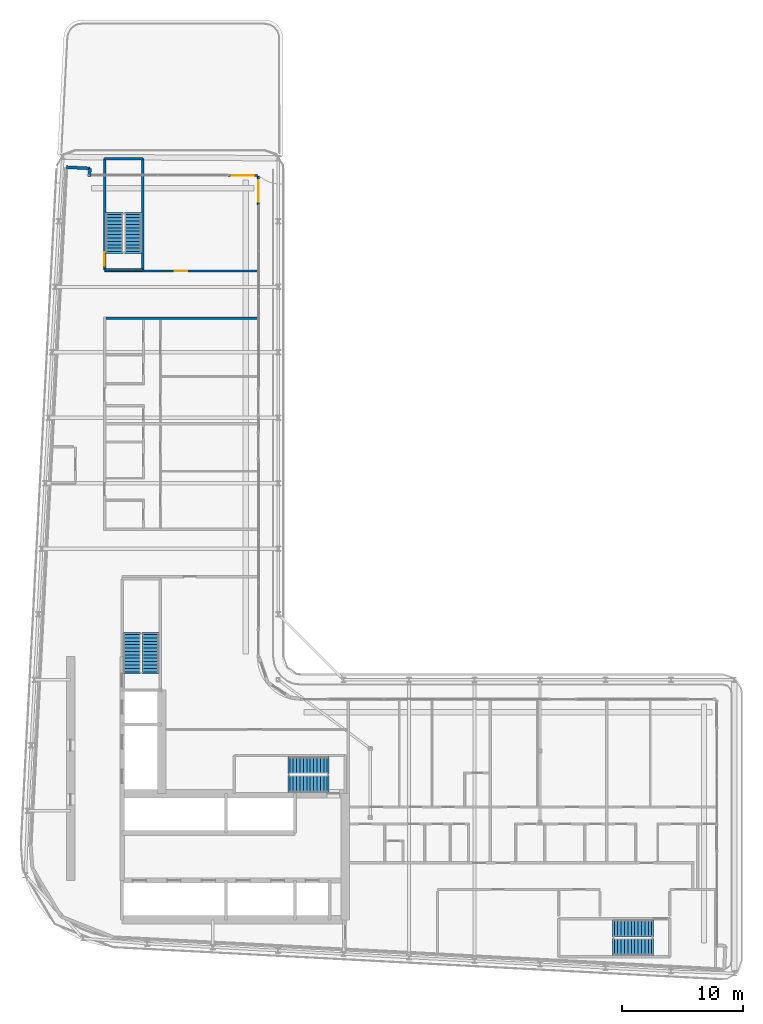
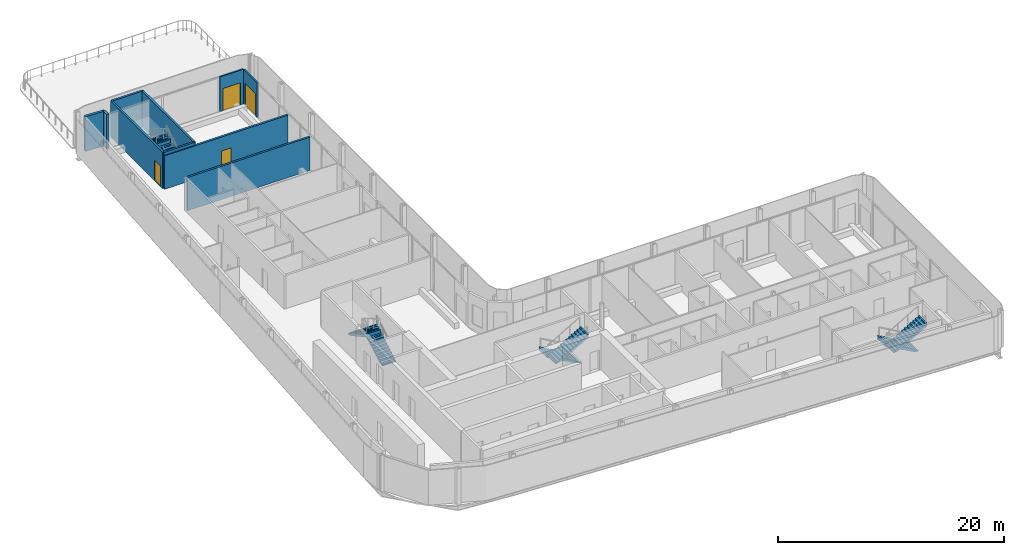
# One storey, part 14 of 22: 10 walls, 8 stair flights, 4 doors, 4 openings, 4 elements without a shape of their own.
"""IFC4 building model written with IfcOpenShell, lengths in metres."""

from ifc_helpers import new_model, si_unit, direction, frame, frame_2d, origin, place, context, subcontext, project, spatial, polyline, rectangle, outline, extrude, source, transform, mapped, material, layer, layer_set, type_object, element, fill, aggregate, save


model = new_model("IFC4")

# Units and contexts
model_context = context("Model", 3, precision=1e-05, world=origin(), true_north=direction((0.0, 1.0)))
body_context = subcontext(model_context, "Body", "Model", "MODEL_VIEW")
ifc_project = project(units=[si_unit("LENGTHUNIT", "METRE"), si_unit("AREAUNIT", "SQUARE_METRE"), si_unit("VOLUMEUNIT", "CUBIC_METRE"), si_unit("PLANEANGLEUNIT", "RADIAN"), si_unit("MASSUNIT", "GRAM", prefix="KILO")], contexts=[model_context])

# Site, building, storey
site_placement = place(None, origin())
site = spatial("IfcSite", under=ifc_project, at=site_placement, CompositionType="ELEMENT")
building_placement = place(site_placement, origin())
building = spatial("IfcBuilding", under=site, at=building_placement, Name="Kheshtan School and Residences Tower", CompositionType="ELEMENT")
storey_placement = place(building_placement, frame((0.0, 0.0, 216.199951171875)))
storey = spatial("IfcBuildingStorey", under=building, at=storey_placement, Name="L50", CompositionType="ELEMENT", Elevation=216.199951171875)

# Wall, opening, door
ifc_material_1 = material(Name="Gypsum board on steel studs with fire boards", Category="steel")
ifc_layer_1 = layer(ifc_material_1, 0.199951171875)
ifc_layer_set_1 = layer_set([ifc_layer_1], Name="Corridor wall 200")
wall_type_1 = type_object("IfcWallType", Name="Corridor wall 200", PredefinedType="PARTITIONING", material=ifc_layer_set_1)
wall_1_placement = place(storey_placement, frame((33.300048828125, 79.300048828125, 0.0), z_axis=(0.0, 0.0, 1.0), x_axis=(1.0, 0.0, 0.0)))
wall_1 = element("IfcWall", 1, at=wall_1_placement, inside=storey, type_object=wall_type_1, Name="Partition L50-002", PredefinedType="PARTITIONING", context=body_context, shape_type="SweptSolid", body=[
    extrude(rectangle(XDim=12.599853515625, YDim=0.199951171875, at=frame_2d((6.2998046875, 0.0))), origin(), (0.0, 0.0, 1.0), 3.60009765625),
])
opening_1_placement = place(wall_1_placement, frame((5.794921875, 0.0, 0.0)))
opening_1 = element("IfcOpeningElement", 2, at=opening_1_placement, cuts=wall_1, Name="Opening D50-038", PredefinedType="OPENING", context=body_context, shape_type="SweptSolid", body=[
    extrude(rectangle(XDim=1.0, YDim=2.10009765625, at=frame_2d((0.5, 1.050048828125))), frame((0.0, 0.10986328125, 0.0), z_axis=(0.0, -1.0, 0.0), x_axis=(1.0, 0.0, 0.0)), (0.0, 0.0, 1.0), 0.219970703125),
])
ifc_material_2 = material(Name="Steel-framed fire-resisting door leaf", Category="steel")
door_type_1 = type_object("IfcDoorType", Name="Fire door FD60 1000 x 2100", OperationType="SINGLE_SWING_LEFT", PredefinedType="DOOR", material=ifc_material_2)
shared_shape_1 = source(origin(), body_context, "Body", "SweptSolid", [
    extrude(rectangle(XDim=1.0, YDim=2.10009765625, at=frame_2d((0.5, 1.050048828125))), frame((0.0, 0.02490234375, 0.0), z_axis=(0.0, -1.0, 0.0), x_axis=(1.0, 0.0, 0.0)), (0.0, 0.0, 1.0), 0.050048828125),
])
door_1_placement = place(opening_1_placement, origin())
door_1 = element("IfcDoor", 3, at=door_1_placement, inside=storey, type_object=door_type_1, Name="Door D50-038", OperationType="SINGLE_SWING_RIGHT", OverallHeight=2.10009765625, OverallWidth=1.0, PredefinedType="DOOR", context=body_context, shape_type="MappedRepresentation", body=[
    mapped(shared_shape_1, transform((0.0, 0.0, 0.0), x_axis=(1.0, 0.0, 0.0), y_axis=(0.0, 1.0, 0.0), z_axis=(0.0, 0.0, 1.0), scale=1.0)),
])
fill(opening_1, door_1)

# Walls
wall_2_placement = place(storey_placement, frame((33.39990234375, 75.39990234375, 0.0), z_axis=(0.0, 0.0, 1.0), x_axis=(1.0, 0.0, 0.0)))
element("IfcWall", 4, at=wall_2_placement, inside=storey, type_object=wall_type_1, Name="Partition L50-011", PredefinedType="PARTITIONING", context=body_context, shape_type="SweptSolid", body=[
    extrude(rectangle(XDim=12.5, YDim=0.199951171875, at=frame_2d((6.25, 0.0))), origin(), (0.0, 0.0, 1.0), 3.60009765625),
])
ifc_material_3 = material(Name="Concrete C40/50 with ceramic cladding and mineral wool insulation", Category="concrete")
ifc_layer_2 = layer(ifc_material_3, 0.25)
ifc_layer_set_2 = layer_set([ifc_layer_2], Name="External wall 250 ceramic clad")
wall_type_2 = type_object("IfcWallType", Name="External wall 250 ceramic clad", PredefinedType="SOLIDWALL", material=ifc_layer_set_2)
wall_3_placement = place(storey_placement, frame((30.136962890625, 87.864013671875, 0.0), z_axis=(0.0, 0.0, 1.0), x_axis=(0.998577785791, -0.053314216913, 0.0)))
element("IfcWall", 5, at=wall_3_placement, inside=storey, type_object=wall_type_2, Name="External wall L50 1", PredefinedType="SOLIDWALL", context=body_context, shape_type="SweptSolid", body=[
    extrude(rectangle(XDim=1.95068359375, YDim=0.25, at=frame_2d((0.975341796875, 0.0))), origin(), (0.0, 0.0, 1.0), 3.75),
])
wall_4_placement = place(storey_placement, frame((32.0849609375, 87.760009765625, 0.0), z_axis=(0.0, 0.0, 1.0), x_axis=(-0.053729014033, -0.998555553312, 0.0)))
element("IfcWall", 6, at=wall_4_placement, inside=storey, type_object=wall_type_2, Name="External wall L50 2", PredefinedType="SOLIDWALL", context=body_context, shape_type="SweptSolid", body=[
    extrude(rectangle(XDim=0.66796875, YDim=0.25, at=frame_2d((0.333984375, 0.0))), origin(), (0.0, 0.0, 1.0), 3.75),
])

# Wall, opening, door
ifc_material_4 = material(Name="Aluminium frame wall with insulated infill", Category="aluminium")
ifc_layer_3 = layer(ifc_material_4, 0.14990234375)
ifc_layer_set_3 = layer_set([ifc_layer_3], Name="Glazing frame wall 150")
wall_type_3 = type_object("IfcWallType", Name="Glazing frame wall 150", PredefinedType="SOLIDWALL", material=ifc_layer_set_3)
wall_5_placement = place(storey_placement, frame((43.5, 87.175048828125, 0.0), z_axis=(0.0, 0.0, 1.0), x_axis=(1.0, 0.0, 0.0)))
wall_5 = element("IfcWall", 7, at=wall_5_placement, inside=storey, type_object=wall_type_3, Name="Balcony door wall L50 3.1", PredefinedType="SOLIDWALL", context=body_context, shape_type="SweptSolid", body=[
    extrude(rectangle(XDim=2.39990234375, YDim=0.14990234375, at=frame_2d((1.199951171875, 0.0))), origin(), (0.0, 0.0, 1.0), 3.75),
])
opening_2_placement = place(wall_5_placement, frame((0.300048828125, 0.0, 0.0)))
opening_2 = element("IfcOpeningElement", 8, at=opening_2_placement, cuts=wall_5, Name="Opening BD", PredefinedType="OPENING", context=body_context, shape_type="SweptSolid", body=[
    extrude(rectangle(XDim=1.800048828125, YDim=2.39990234375, at=frame_2d((0.89990234375, 1.199951171875))), frame((0.0, 0.0849609375, 0.0), z_axis=(0.0, -1.0, 0.0), x_axis=(1.0, 0.0, 0.0)), (0.0, 0.0, 1.0), 0.169921875),
])
ifc_material_5 = material(Name="Clear low-e glass in thermally broken aluminium frame", Category="aluminium")
door_type_2 = type_object("IfcDoorType", Name="Balcony sliding door", OperationType="SLIDING_TO_LEFT", PredefinedType="DOOR", material=ifc_material_5)
shared_shape_2 = source(origin(), body_context, "Body", "SweptSolid", [
    extrude(rectangle(XDim=1.800048828125, YDim=2.39990234375, at=frame_2d((0.89990234375, 1.199951171875))), frame((0.0, 0.02490234375, 0.0), z_axis=(0.0, -1.0, 0.0), x_axis=(1.0, 0.0, 0.0)), (0.0, 0.0, 1.0), 0.050048828125),
])
door_2_placement = place(opening_2_placement, origin())
door_2 = element("IfcDoor", 9, at=door_2_placement, inside=storey, type_object=door_type_2, Name="Balcony door L50 3.1", OperationType="SLIDING_TO_LEFT", OverallHeight=2.39990234375, OverallWidth=1.800048828125, PredefinedType="DOOR", context=body_context, shape_type="MappedRepresentation", body=[
    mapped(shared_shape_2, transform((0.0, 0.0, 0.0), x_axis=(1.0, 0.0, 0.0), y_axis=(0.0, 1.0, 0.0), z_axis=(0.0, 0.0, 1.0), scale=1.0)),
])
fill(opening_2, door_2)

wall_6_placement = place(storey_placement, frame((45.97509765625, 87.10009765625, 0.0), z_axis=(0.0, 0.0, 1.0), x_axis=(0.0, -1.0, 0.0)))
wall_6 = element("IfcWall", 10, at=wall_6_placement, inside=storey, type_object=wall_type_3, Name="Balcony door wall L50 4.1", PredefinedType="SOLIDWALL", context=body_context, shape_type="SweptSolid", body=[
    extrude(rectangle(XDim=2.400146484375, YDim=0.14990234375, at=frame_2d((1.2001953125, 0.0))), origin(), (0.0, 0.0, 1.0), 3.75),
])
opening_3_placement = place(wall_6_placement, frame((0.300048828125, 0.0, 0.0)))
opening_3 = element("IfcOpeningElement", 11, at=opening_3_placement, cuts=wall_6, Name="Opening BD", PredefinedType="OPENING", context=body_context, shape_type="SweptSolid", body=[
    extrude(rectangle(XDim=1.800048828125, YDim=2.39990234375, at=frame_2d((0.89990234375, 1.199951171875))), frame((0.0, 0.0849609375, 0.0), z_axis=(0.0, -1.0, 0.0), x_axis=(1.0, 0.0, 0.0)), (0.0, 0.0, 1.0), 0.169921875),
])
door_3_placement = place(opening_3_placement, origin())
door_3 = element("IfcDoor", 12, at=door_3_placement, inside=storey, type_object=door_type_2, Name="Balcony door L50 4.1", OperationType="SLIDING_TO_LEFT", OverallHeight=2.39990234375, OverallWidth=1.800048828125, PredefinedType="DOOR", context=body_context, shape_type="MappedRepresentation", body=[
    mapped(shared_shape_2, transform((0.0, 0.0, 0.0), x_axis=(1.0, 0.0, 0.0), y_axis=(0.0, 1.0, 0.0), z_axis=(0.0, 0.0, 1.0), scale=1.0)),
])
fill(opening_3, door_3)

# Walls
ifc_material_6 = material(Name="Concrete C40/50", Category="concrete")
ifc_layer_4 = layer(ifc_material_6, 0.199951171875)
ifc_layer_set_4 = layer_set([ifc_layer_4], Name="Stair enclosure wall 200 Concrete C40/50")
wall_type_4 = type_object("IfcWallType", Name="Stair enclosure wall 200 Concrete C40/50", PredefinedType="SHEAR", material=ifc_layer_set_4)
for number, where, z_axis, x_axis, name in (
    (13, (33.300048828125, 79.39990234375, 0.0), (0.0, 0.0, 1.0), (1.0, 0.0, 0.0), "Stair enclosure wall ST3"),
    (14, (33.300048828125, 88.56005859375, 0.0), (0.0, 0.0, 1.0), (1.0, 0.0, 0.0), "Stair enclosure wall ST3"),
):
    element("IfcWall", number, at=place(storey_placement, frame(where, z_axis=z_axis, x_axis=x_axis)), inside=storey, type_object=wall_type_4, Name=name, PredefinedType="SHEAR", context=body_context, shape_type="SweptSolid", body=[
        extrude(rectangle(XDim=3.14990234375, YDim=0.199951171875, at=frame_2d((1.574951171875, 0.0))), origin(), (0.0, 0.0, 1.0), 3.900146484375),
    ])

# Wall, opening, door
wall_7_placement = place(storey_placement, frame((33.300048828125, 79.39990234375, 0.0), z_axis=(0.0, 0.0, 1.0), x_axis=(0.0, 1.0, 0.0)))
wall_7 = element("IfcWall", 15, at=wall_7_placement, inside=storey, type_object=wall_type_4, Name="Stair enclosure wall ST3", PredefinedType="SHEAR", context=body_context, shape_type="SweptSolid", body=[
    extrude(rectangle(XDim=9.16015625, YDim=0.199951171875, at=frame_2d((4.580078125, 0.0))), origin(), (0.0, 0.0, 1.0), 3.900146484375),
])
opening_4_placement = place(wall_7_placement, frame((0.35009765625, 0.0, 0.0)))
opening_4 = element("IfcOpeningElement", 16, at=opening_4_placement, cuts=wall_7, Name="Opening ST3D", PredefinedType="OPENING", context=body_context, shape_type="SweptSolid", body=[
    extrude(rectangle(XDim=1.10009765625, YDim=2.199951171875, at=frame_2d((0.550048828125, 1.10009765625))), frame((0.0, 0.10986328125, 0.0), z_axis=(0.0, -1.0, 0.0), x_axis=(1.0, 0.0, 0.0)), (0.0, 0.0, 1.0), 0.219970703125),
])
ifc_material_7 = material(Name="Steel door leaf, galvanised", Category="steel")
door_type_3 = type_object("IfcDoorType", Name="Stair door 1100 steel 90 min", OperationType="SINGLE_SWING_LEFT", PredefinedType="DOOR", material=ifc_material_7)
shared_shape_3 = source(origin(), body_context, "Body", "SweptSolid", [
    extrude(rectangle(XDim=1.10009765625, YDim=2.199951171875, at=frame_2d((0.550048828125, 1.10009765625))), frame((0.0, 0.02490234375, 0.0), z_axis=(0.0, -1.0, 0.0), x_axis=(1.0, 0.0, 0.0)), (0.0, 0.0, 1.0), 0.050048828125),
])
door_4_placement = place(opening_4_placement, origin())
door_4 = element("IfcDoor", 17, at=door_4_placement, inside=storey, type_object=door_type_3, Name="Stair ST3 door", OperationType="SINGLE_SWING_RIGHT", OverallHeight=2.199951171875, OverallWidth=1.10009765625, PredefinedType="DOOR", context=body_context, shape_type="MappedRepresentation", body=[
    mapped(shared_shape_3, transform((0.0, 0.0, 0.0), x_axis=(1.0, 0.0, 0.0), y_axis=(0.0, 1.0, 0.0), z_axis=(0.0, 0.0, 1.0), scale=1.0)),
])
fill(opening_4, door_4)

# Wall
wall_8_placement = place(storey_placement, frame((36.449951171875, 79.39990234375, 0.0), z_axis=(0.0, 0.0, 1.0), x_axis=(0.0, 1.0, 0.0)))
element("IfcWall", 18, at=wall_8_placement, inside=storey, type_object=wall_type_4, Name="Stair enclosure wall ST3", PredefinedType="SHEAR", context=body_context, shape_type="SweptSolid", body=[
    extrude(rectangle(XDim=9.16015625, YDim=0.199951171875, at=frame_2d((4.580078125, 0.0))), origin(), (0.0, 0.0, 1.0), 3.900146484375),
])

# Stair, stair flights
stair_type = type_object("IfcStairType", Name="Exit stair, half-turn", PredefinedType="HALF_TURN_STAIR", material=ifc_material_6)
stair_1_placement = place(storey_placement, origin())
stair_1 = element("IfcStair", 19, at=stair_1_placement, inside=storey, type_object=stair_type, Name="L50 Protected Exit Stair ST1", PredefinedType="HALF_TURN_STAIR")
ifc_layer_5 = layer(ifc_material_6, 0.14990234375)
ifc_layer_set_5 = layer_set([ifc_layer_5], Name="Stair flight 1400 Concrete C40/50")
stair_flight_type = type_object("IfcStairFlightType", Name="Stair flight 1400 Concrete C40/50", PredefinedType="STRAIGHT", material=ifc_layer_set_5)
stair_flight_1_placement = place(storey_placement, frame((51.64990234375, 38.550048828125, 0.0), z_axis=(0.0, 0.0, 1.0), x_axis=(-1.0, 0.0, 0.0)))
stair_flight_1 = element("IfcStairFlight", 20, at=stair_flight_1_placement, type_object=stair_flight_type, Name="ST1 flight 1", NumberOfRisers=12, NumberOfTreads=11, PredefinedType="STRAIGHT", RiserHeight=0.1625, TreadLength=0.28, context=body_context, shape_type="SweptSolid", body=[
    extrude(outline(polyline([(-0.14990234375, -0.10009765625), (-0.14990234375, 0.0), (0.0, 0.0), (0.0, 0.16259765625), (0.280029296875, 0.16259765625), (0.280029296875, 0.324951171875), (0.56005859375, 0.324951171875), (0.56005859375, 0.487548828125), (0.840087890625, 0.487548828125), (0.840087890625, 0.64990234375), (1.1201171875, 0.64990234375), (1.1201171875, 0.8125), (1.39990234375, 0.8125), (1.39990234375, 0.97509765625), (1.679931640625, 0.97509765625), (1.679931640625, 1.137451171875), (1.9599609375, 1.137451171875), (1.9599609375, 1.300048828125), (2.239990234375, 1.300048828125), (2.239990234375, 1.46240234375), (2.52001953125, 1.46240234375), (2.52001953125, 1.625), (2.800048828125, 1.625), (2.800048828125, 1.78759765625), (3.080078125, 1.78759765625), (3.080078125, 1.949951171875), (3.080078125, 1.969970703125), (3.22998046875, 1.969970703125), (3.22998046875, 1.6142578125), (0.298583984375, 0.0), (-0.14990234375, -0.10009765625)])), frame((0.0, 0.699951171875, 0.0), z_axis=(0.0, -1.0, 0.0), x_axis=(1.0, 0.0, 0.0)), (0.0, 0.0, 1.0), 1.39990234375),
])
stair_flight_2_placement = place(storey_placement, frame((48.570068359375, 37.0, 1.949951171875), z_axis=(0.0, 0.0, 1.0), x_axis=(1.0, 0.0, 0.0)))
stair_flight_2 = element("IfcStairFlight", 21, at=stair_flight_2_placement, type_object=stair_flight_type, Name="ST1 flight 2", NumberOfRisers=12, NumberOfTreads=11, PredefinedType="STRAIGHT", RiserHeight=0.1625, TreadLength=0.28, context=body_context, shape_type="SweptSolid", body=[
    extrude(outline(polyline([(-0.14990234375, -0.10009765625), (-0.14990234375, 0.0), (0.0, 0.0), (0.0, 0.16259765625), (0.280029296875, 0.16259765625), (0.280029296875, 0.324951171875), (0.56005859375, 0.324951171875), (0.56005859375, 0.487548828125), (0.840087890625, 0.487548828125), (0.840087890625, 0.64990234375), (1.1201171875, 0.64990234375), (1.1201171875, 0.8125), (1.39990234375, 0.8125), (1.39990234375, 0.97509765625), (1.679931640625, 0.97509765625), (1.679931640625, 1.137451171875), (1.9599609375, 1.137451171875), (1.9599609375, 1.300048828125), (2.239990234375, 1.300048828125), (2.239990234375, 1.46240234375), (2.52001953125, 1.46240234375), (2.52001953125, 1.625), (2.800048828125, 1.625), (2.800048828125, 1.78759765625), (3.080078125, 1.78759765625), (3.080078125, 1.949951171875), (3.080078125, 1.969970703125), (3.22998046875, 1.969970703125), (3.22998046875, 1.6142578125), (0.298583984375, 0.0), (-0.14990234375, -0.10009765625)])), frame((0.0, 0.699951171875, 0.0), z_axis=(0.0, -1.0, 0.0), x_axis=(1.0, 0.0, 0.0)), (0.0, 0.0, 1.0), 1.39990234375),
])
aggregate(stair_1, [stair_flight_1, stair_flight_2])

stair_2_placement = place(storey_placement, origin())
stair_2 = element("IfcStair", 22, at=stair_2_placement, inside=storey, type_object=stair_type, Name="L50 Protected Exit Stair ST2", PredefinedType="HALF_TURN_STAIR")
stair_flight_3_placement = place(storey_placement, frame((37.10009765625, 46.25, 0.0), z_axis=(0.0, 0.0, 1.0), x_axis=(0.0, 1.0, 0.0)))
stair_flight_3 = element("IfcStairFlight", 23, at=stair_flight_3_placement, type_object=stair_flight_type, Name="ST2 flight 1", NumberOfRisers=12, NumberOfTreads=11, PredefinedType="STRAIGHT", RiserHeight=0.1625, TreadLength=0.28, context=body_context, shape_type="SweptSolid", body=[
    extrude(outline(polyline([(-0.14990234375, -0.10009765625), (-0.14990234375, 0.0), (0.0, 0.0), (0.0, 0.16259765625), (0.280029296875, 0.16259765625), (0.280029296875, 0.324951171875), (0.56005859375, 0.324951171875), (0.56005859375, 0.487548828125), (0.840087890625, 0.487548828125), (0.840087890625, 0.64990234375), (1.1201171875, 0.64990234375), (1.1201171875, 0.8125), (1.39990234375, 0.8125), (1.39990234375, 0.97509765625), (1.679931640625, 0.97509765625), (1.679931640625, 1.137451171875), (1.9599609375, 1.137451171875), (1.9599609375, 1.300048828125), (2.239990234375, 1.300048828125), (2.239990234375, 1.46240234375), (2.52001953125, 1.46240234375), (2.52001953125, 1.625), (2.800048828125, 1.625), (2.800048828125, 1.78759765625), (3.080078125, 1.78759765625), (3.080078125, 1.949951171875), (3.080078125, 1.969970703125), (3.22998046875, 1.969970703125), (3.22998046875, 1.6142578125), (0.298583984375, 0.0), (-0.14990234375, -0.10009765625)])), frame((0.0, 0.699951171875, 0.0), z_axis=(0.0, -1.0, 0.0), x_axis=(1.0, 0.0, 0.0)), (0.0, 0.0, 1.0), 1.39990234375),
])
stair_flight_4_placement = place(storey_placement, frame((35.550048828125, 49.330078125, 1.949951171875), z_axis=(0.0, 0.0, 1.0), x_axis=(0.0, -1.0, 0.0)))
stair_flight_4 = element("IfcStairFlight", 24, at=stair_flight_4_placement, type_object=stair_flight_type, Name="ST2 flight 2", NumberOfRisers=12, NumberOfTreads=11, PredefinedType="STRAIGHT", RiserHeight=0.1625, TreadLength=0.28, context=body_context, shape_type="SweptSolid", body=[
    extrude(outline(polyline([(-0.14990234375, -0.10009765625), (-0.14990234375, 0.0), (0.0, 0.0), (0.0, 0.16259765625), (0.280029296875, 0.16259765625), (0.280029296875, 0.324951171875), (0.56005859375, 0.324951171875), (0.56005859375, 0.487548828125), (0.840087890625, 0.487548828125), (0.840087890625, 0.64990234375), (1.1201171875, 0.64990234375), (1.1201171875, 0.8125), (1.39990234375, 0.8125), (1.39990234375, 0.97509765625), (1.679931640625, 0.97509765625), (1.679931640625, 1.137451171875), (1.9599609375, 1.137451171875), (1.9599609375, 1.300048828125), (2.239990234375, 1.300048828125), (2.239990234375, 1.46240234375), (2.52001953125, 1.46240234375), (2.52001953125, 1.625), (2.800048828125, 1.625), (2.800048828125, 1.78759765625), (3.080078125, 1.78759765625), (3.080078125, 1.949951171875), (3.080078125, 1.969970703125), (3.22998046875, 1.969970703125), (3.22998046875, 1.6142578125), (0.298583984375, 0.0), (-0.14990234375, -0.10009765625)])), frame((0.0, 0.699951171875, 0.0), z_axis=(0.0, -1.0, 0.0), x_axis=(1.0, 0.0, 0.0)), (0.0, 0.0, 1.0), 1.39990234375),
])
aggregate(stair_2, [stair_flight_3, stair_flight_4])

stair_3_placement = place(storey_placement, origin())
stair_3 = element("IfcStair", 25, at=stair_3_placement, inside=storey, type_object=stair_type, Name="L50 Protected Exit Stair ST3", PredefinedType="HALF_TURN_STAIR")
stair_flight_5_placement = place(storey_placement, frame((35.64990234375, 80.89990234375, 0.0), z_axis=(0.0, 0.0, 1.0), x_axis=(0.0, 1.0, 0.0)))
stair_flight_5 = element("IfcStairFlight", 26, at=stair_flight_5_placement, type_object=stair_flight_type, Name="ST3 flight 1", NumberOfRisers=12, NumberOfTreads=11, PredefinedType="STRAIGHT", RiserHeight=0.1625, TreadLength=0.28, context=body_context, shape_type="SweptSolid", body=[
    extrude(outline(polyline([(-0.14990234375, -0.10009765625), (-0.14990234375, 0.0), (0.0, 0.0), (0.0, 0.16259765625), (0.280029296875, 0.16259765625), (0.280029296875, 0.324951171875), (0.56005859375, 0.324951171875), (0.56005859375, 0.487548828125), (0.840087890625, 0.487548828125), (0.840087890625, 0.64990234375), (1.1201171875, 0.64990234375), (1.1201171875, 0.8125), (1.39990234375, 0.8125), (1.39990234375, 0.97509765625), (1.679931640625, 0.97509765625), (1.679931640625, 1.137451171875), (1.9599609375, 1.137451171875), (1.9599609375, 1.300048828125), (2.239990234375, 1.300048828125), (2.239990234375, 1.46240234375), (2.52001953125, 1.46240234375), (2.52001953125, 1.625), (2.800048828125, 1.625), (2.800048828125, 1.78759765625), (3.080078125, 1.78759765625), (3.080078125, 1.949951171875), (3.080078125, 1.969970703125), (3.22998046875, 1.969970703125), (3.22998046875, 1.6142578125), (0.298583984375, 0.0), (-0.14990234375, -0.10009765625)])), frame((0.0, 0.699951171875, 0.0), z_axis=(0.0, -1.0, 0.0), x_axis=(1.0, 0.0, 0.0)), (0.0, 0.0, 1.0), 1.39990234375),
])
stair_flight_6_placement = place(storey_placement, frame((34.10009765625, 83.97998046875, 1.949951171875), z_axis=(0.0, 0.0, 1.0), x_axis=(0.0, -1.0, 0.0)))
stair_flight_6 = element("IfcStairFlight", 27, at=stair_flight_6_placement, type_object=stair_flight_type, Name="ST3 flight 2", NumberOfRisers=12, NumberOfTreads=11, PredefinedType="STRAIGHT", RiserHeight=0.1625, TreadLength=0.28, context=body_context, shape_type="SweptSolid", body=[
    extrude(outline(polyline([(-0.14990234375, -0.10009765625), (-0.14990234375, 0.0), (0.0, 0.0), (0.0, 0.16259765625), (0.280029296875, 0.16259765625), (0.280029296875, 0.324951171875), (0.56005859375, 0.324951171875), (0.56005859375, 0.487548828125), (0.840087890625, 0.487548828125), (0.840087890625, 0.64990234375), (1.1201171875, 0.64990234375), (1.1201171875, 0.8125), (1.39990234375, 0.8125), (1.39990234375, 0.97509765625), (1.679931640625, 0.97509765625), (1.679931640625, 1.137451171875), (1.9599609375, 1.137451171875), (1.9599609375, 1.300048828125), (2.239990234375, 1.300048828125), (2.239990234375, 1.46240234375), (2.52001953125, 1.46240234375), (2.52001953125, 1.625), (2.800048828125, 1.625), (2.800048828125, 1.78759765625), (3.080078125, 1.78759765625), (3.080078125, 1.949951171875), (3.080078125, 1.969970703125), (3.22998046875, 1.969970703125), (3.22998046875, 1.6142578125), (0.298583984375, 0.0), (-0.14990234375, -0.10009765625)])), frame((0.0, 0.699951171875, 0.0), z_axis=(0.0, -1.0, 0.0), x_axis=(1.0, 0.0, 0.0)), (0.0, 0.0, 1.0), 1.39990234375),
])
aggregate(stair_3, [stair_flight_5, stair_flight_6])

stair_4_placement = place(storey_placement, origin())
stair_4 = element("IfcStair", 28, at=stair_4_placement, inside=storey, type_object=stair_type, Name="L50 Protected Exit Stair ST5", PredefinedType="HALF_TURN_STAIR")
stair_flight_7_placement = place(storey_placement, frame((78.409912109375, 25.10009765625, 0.0), z_axis=(0.0, 0.0, 1.0), x_axis=(-1.0, 0.0, 0.0)))
stair_flight_7 = element("IfcStairFlight", 29, at=stair_flight_7_placement, type_object=stair_flight_type, Name="ST5 flight 1", NumberOfRisers=12, NumberOfTreads=11, PredefinedType="STRAIGHT", RiserHeight=0.1625, TreadLength=0.28, context=body_context, shape_type="SweptSolid", body=[
    extrude(outline(polyline([(-0.14990234375, -0.10009765625), (-0.14990234375, 0.0), (0.0, 0.0), (0.0, 0.16259765625), (0.280029296875, 0.16259765625), (0.280029296875, 0.324951171875), (0.56005859375, 0.324951171875), (0.56005859375, 0.487548828125), (0.840087890625, 0.487548828125), (0.840087890625, 0.64990234375), (1.1201171875, 0.64990234375), (1.1201171875, 0.8125), (1.39990234375, 0.8125), (1.39990234375, 0.97509765625), (1.679931640625, 0.97509765625), (1.679931640625, 1.137451171875), (1.9599609375, 1.137451171875), (1.9599609375, 1.300048828125), (2.239990234375, 1.300048828125), (2.239990234375, 1.46240234375), (2.52001953125, 1.46240234375), (2.52001953125, 1.625), (2.800048828125, 1.625), (2.800048828125, 1.78759765625), (3.080078125, 1.78759765625), (3.080078125, 1.949951171875), (3.080078125, 1.969970703125), (3.22998046875, 1.969970703125), (3.22998046875, 1.6142578125), (0.298583984375, 0.0), (-0.14990234375, -0.10009765625)])), frame((0.0, 0.699951171875, 0.0), z_axis=(0.0, -1.0, 0.0), x_axis=(1.0, 0.0, 0.0)), (0.0, 0.0, 1.0), 1.39990234375),
])
stair_flight_8_placement = place(storey_placement, frame((75.330078125, 23.550048828125, 1.949951171875), z_axis=(0.0, 0.0, 1.0), x_axis=(1.0, 0.0, 0.0)))
stair_flight_8 = element("IfcStairFlight", 30, at=stair_flight_8_placement, type_object=stair_flight_type, Name="ST5 flight 2", NumberOfRisers=12, NumberOfTreads=11, PredefinedType="STRAIGHT", RiserHeight=0.1625, TreadLength=0.28, context=body_context, shape_type="SweptSolid", body=[
    extrude(outline(polyline([(-0.14990234375, -0.10009765625), (-0.14990234375, 0.0), (0.0, 0.0), (0.0, 0.16259765625), (0.280029296875, 0.16259765625), (0.280029296875, 0.324951171875), (0.56005859375, 0.324951171875), (0.56005859375, 0.487548828125), (0.840087890625, 0.487548828125), (0.840087890625, 0.64990234375), (1.1201171875, 0.64990234375), (1.1201171875, 0.8125), (1.39990234375, 0.8125), (1.39990234375, 0.97509765625), (1.679931640625, 0.97509765625), (1.679931640625, 1.137451171875), (1.9599609375, 1.137451171875), (1.9599609375, 1.300048828125), (2.239990234375, 1.300048828125), (2.239990234375, 1.46240234375), (2.52001953125, 1.46240234375), (2.52001953125, 1.625), (2.800048828125, 1.625), (2.800048828125, 1.78759765625), (3.080078125, 1.78759765625), (3.080078125, 1.949951171875), (3.080078125, 1.969970703125), (3.22998046875, 1.969970703125), (3.22998046875, 1.6142578125), (0.298583984375, 0.0), (-0.14990234375, -0.10009765625)])), frame((0.0, 0.699951171875, 0.0), z_axis=(0.0, -1.0, 0.0), x_axis=(1.0, 0.0, 0.0)), (0.0, 0.0, 1.0), 1.39990234375),
])
aggregate(stair_4, [stair_flight_7, stair_flight_8])

save(model, "model.ifc")
